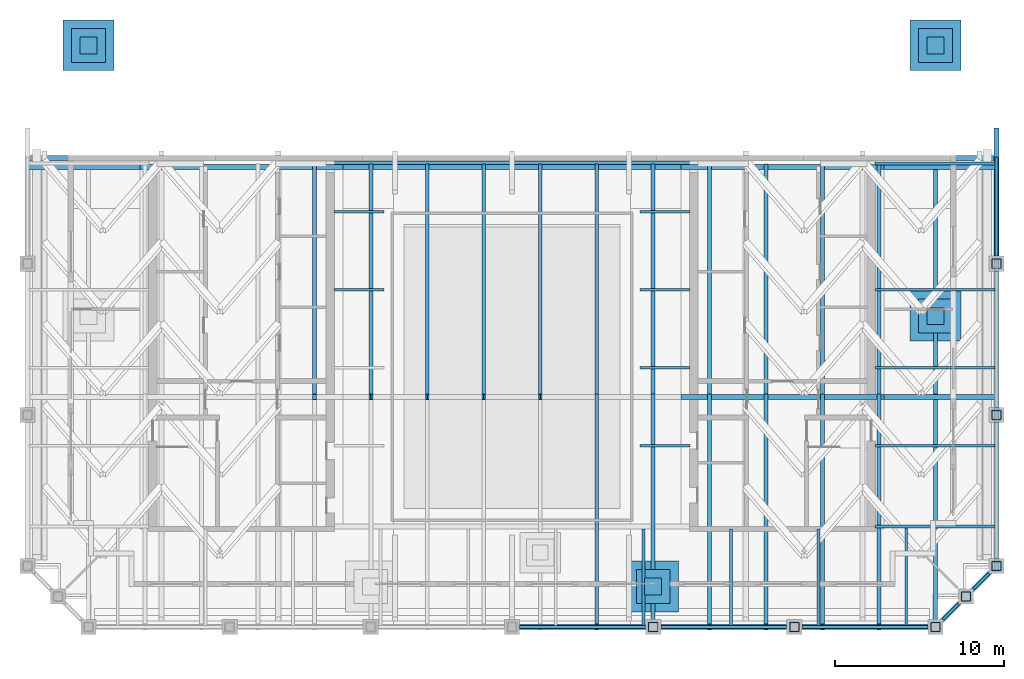
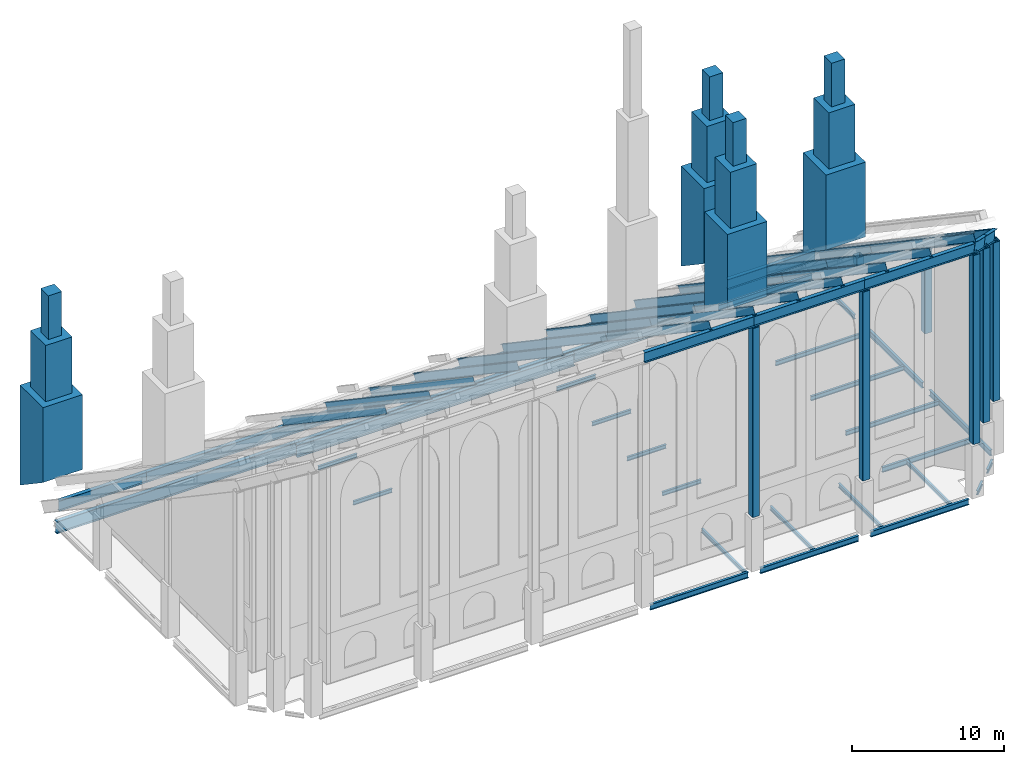
# One storey, part 2 of 9: 40 beams, 38 members.
"""IFC4 building model written with IfcOpenShell, lengths in metres."""

import ifcopenshell
import ifcopenshell.guid

model = None  # the IFC model being written
_history = None  # IfcOwnerHistory: only IFC2X3 demands one
_inside = {}  # id of a spatial element -> (the spatial element, [elements in it])
_under = {}  # id of a project, library or spatial element -> (it, [spatial elements below it])
_declared = {}  # id of a project -> (the project, [libraries it declares])
_typed = {}  # id of a type object -> (the type object, [elements of that type])
_made_of = {}  # id of a material, layer set ... -> (it, [elements and type objects made of it])


def new_model(schema):
    """Start an empty IFC model of exactly this schema.

    Asked for "IFC4X3", IfcOpenShell would pick the latest addendum, in which some entities
    have other attributes; the version numbers below select the first issue.
    IFC2X3 requires an IfcOwnerHistory on every rooted entity: one is made here for all.
    """
    global model, _history
    if schema == "IFC4X3":
        model = ifcopenshell.file(schema_version=(4, 3, 0, 0))
    else:
        model = ifcopenshell.file(schema=schema)
    _inside.clear()
    _under.clear()
    _declared.clear()
    _typed.clear()
    _made_of.clear()
    _history = None
    if model.schema == "IFC2X3":
        org = make("IfcOrganization", Name="unknown")
        user = make(
            "IfcPersonAndOrganization",
            ThePerson=make("IfcPerson", FamilyName="unknown"),
            TheOrganization=org,
        )
        app = make(
            "IfcApplication",
            ApplicationDeveloper=org,
            Version="unknown",
            ApplicationFullName="unknown",
            ApplicationIdentifier="unknown",
        )
        _history = make(
            "IfcOwnerHistory",
            OwningUser=user,
            OwningApplication=app,
            ChangeAction="ADDED",
            CreationDate=0,
        )
    return model


def make(cls, **values):
    """One entity of the class cls with the attributes given. An attribute that is None is left unset."""
    return model.create_entity(
        cls, **{name: value for name, value in values.items() if value is not None}
    )


def rooted(cls, **values):
    """An entity with a GlobalId (a new one), such as an element, a storey or a relation."""
    return make(cls, GlobalId=ifcopenshell.guid.new(), OwnerHistory=_history, **values)


def si_unit(unit_type, name, prefix=None):
    """IfcSIUnit, for example si_unit("LENGTHUNIT", "METRE", prefix="MILLI")."""
    return make("IfcSIUnit", UnitType=unit_type, Prefix=prefix, Name=name)


def assignment(units):
    """IfcUnitAssignment: the units of a project."""
    return None if units is None else make("IfcUnitAssignment", Units=units)


def point(xyz):
    """IfcCartesianPoint."""
    return None if xyz is None else make("IfcCartesianPoint", Coordinates=xyz)


def direction(xyz):
    """IfcDirection."""
    return None if xyz is None else make("IfcDirection", DirectionRatios=xyz)


def frame(location, z_axis=None, x_axis=None):
    """IfcAxis2Placement3D, a coordinate frame: its origin and axes. An axis left out is left unset."""
    return make(
        "IfcAxis2Placement3D",
        Location=point(location),
        Axis=direction(z_axis),
        RefDirection=direction(x_axis),
    )


def frame_2d(location, x_axis=None):
    """IfcAxis2Placement2D, a coordinate frame in the plane: its origin and x axis."""
    return make(
        "IfcAxis2Placement2D", Location=point(location), RefDirection=direction(x_axis)
    )


def origin():
    """The frame at (0, 0, 0) with its axes left unset."""
    return frame((0.0, 0.0, 0.0))


def origin_2d():
    """The frame at (0, 0) in the plane with its x axis left unset."""
    return frame_2d((0.0, 0.0))


def place(relative_to, where):
    """IfcLocalPlacement: puts the frame where relative to a parent placement (None: the world)."""
    return make(
        "IfcLocalPlacement", PlacementRelTo=relative_to, RelativePlacement=where
    )


def context(
    kind, dimensions, precision=None, world=None, true_north=None, identifier=None
):
    """IfcGeometricRepresentationContext, for example the 3D "Model" context."""
    return make(
        "IfcGeometricRepresentationContext",
        ContextIdentifier=identifier,
        ContextType=kind,
        CoordinateSpaceDimension=dimensions,
        Precision=precision,
        WorldCoordinateSystem=world,
        TrueNorth=true_north,
    )


def subcontext(parent, identifier, kind, view, scale=None):
    """IfcGeometricRepresentationSubContext, for example "Body" below "Model"."""
    return make(
        "IfcGeometricRepresentationSubContext",
        ContextIdentifier=identifier,
        ContextType=kind,
        ParentContext=parent,
        TargetScale=scale,
        TargetView=view,
    )


def project(units=None, contexts=None):
    """IfcProject with its units and contexts."""
    return rooted(
        "IfcProject",
        Name="project",
        RepresentationContexts=contexts,
        UnitsInContext=assignment(units),
    )


def spatial(cls, under=None, at=None, **own):
    """A site, building, storey or space (cls), placed at a placement, below another one or the project."""
    s = rooted(cls, ObjectPlacement=at, **own)
    if under is not None:
        _under.setdefault(under.id(), (under, []))[1].append(s)
    return s


def polyline(points):
    """IfcPolyline through the points."""
    return make("IfcPolyline", Points=[point(p) for p in points])


def profile(cls, at=None, kind="AREA", **sizes):
    """A parametric profile (cls). Its sizes go by their IFC names, for example OverallWidth=200.0."""
    return make(cls, ProfileType=kind, Position=at, **sizes)


def rectangle(**sizes):
    """IfcRectangleProfileDef."""
    return profile("IfcRectangleProfileDef", **sizes)


def hollow_rectangle(**sizes):
    """IfcRectangleHollowProfileDef."""
    return profile("IfcRectangleHollowProfileDef", **sizes)


def i_section(**sizes):
    """IfcIShapeProfileDef."""
    return profile("IfcIShapeProfileDef", **sizes)


def outline(outer, holes=None, kind="AREA"):
    """IfcArbitraryClosedProfileDef: a profile drawn as a closed curve; with holes, ...WithVoids."""
    if holes is None:
        return make("IfcArbitraryClosedProfileDef", ProfileType=kind, OuterCurve=outer)
    return make(
        "IfcArbitraryProfileDefWithVoids",
        ProfileType=kind,
        OuterCurve=outer,
        InnerCurves=holes,
    )


def extrude(swept, where, along, depth):
    """IfcExtrudedAreaSolid: the profile swept, set in the frame where, extruded along a direction by depth."""
    return make(
        "IfcExtrudedAreaSolid",
        SweptArea=swept,
        Position=where,
        ExtrudedDirection=direction(along),
        Depth=depth,
    )


def shape(context_of_items, identifier, shape_type, items):
    """IfcShapeRepresentation: the items that make up one representation, for example the "Body"."""
    return make(
        "IfcShapeRepresentation",
        ContextOfItems=context_of_items,
        RepresentationIdentifier=identifier,
        RepresentationType=shape_type,
        Items=items,
    )


def material(Name=None, Category=None):
    """IfcMaterial."""
    return make("IfcMaterial", Name=Name, Category=Category)


def material_profile(
    of_material, cross_section, Name=None, Category=None, Priority=None
):
    """IfcMaterialProfile: a cross section and its material."""
    return make(
        "IfcMaterialProfile",
        Name=Name,
        Material=of_material,
        Profile=cross_section,
        Priority=Priority,
        Category=Category,
    )


def profile_set(profiles, Name=None, composite=None):
    """IfcMaterialProfileSet."""
    return make(
        "IfcMaterialProfileSet",
        Name=Name,
        MaterialProfiles=profiles,
        CompositeProfile=composite,
    )


def made_of(thing, what):
    """Note that an element or type object is made of a material, layer set ...; save() writes the relation."""
    if what is not None:
        _made_of.setdefault(what.id(), (what, []))[1].append(thing)
    return thing


def type_object(cls, material=None, **own):
    """A type object (cls), such as IfcWallType, which elements share."""
    return made_of(rooted(cls, **own), material)


def element(
    cls,
    number,
    at=None,
    inside=None,
    cuts=None,
    type_object=None,
    material=None,
    context=None,
    identifier="Body",
    shape_type=None,
    held_by="IfcProductDefinitionShape",
    body=None,
    shapes=None,
    **own,
):
    """One element of the class cls, such as IfcWall. Its Tag is "e" and its number.

    at: its placement. inside: the storey or other place that contains it. cuts: it is an
    opening in that element (IfcRelVoidsElement). A single representation is given by context,
    identifier, shape_type and body (its items); several are given by shapes. held_by: the class
    of the entity that holds the representations. save() writes the other relations.
    """
    e = rooted(cls, Tag="e%d" % number, ObjectPlacement=at, **own)
    if body is not None:
        shapes = [shape(context, identifier, shape_type, body)]
    if shapes is not None:
        e.Representation = make(held_by, Representations=shapes)
    if inside is not None:
        _inside.setdefault(inside.id(), (inside, []))[1].append(e)
    if cuts is not None:
        rooted(
            "IfcRelVoidsElement", RelatingBuildingElement=cuts, RelatedOpeningElement=e
        )
    if type_object is not None:
        _typed.setdefault(type_object.id(), (type_object, []))[1].append(e)
    return made_of(e, material)


def aggregate(whole, parts):
    """IfcRelAggregates: a whole, such as a stair, and the parts it consists of."""
    return rooted("IfcRelAggregates", RelatingObject=whole, RelatedObjects=parts)


def save(model, path):
    """Write the relations noted so far, then the file.

    IfcRelAggregates (storeys below a building ...), IfcRelContainedInSpatialStructure (elements
    in a storey), IfcRelDefinesByType, IfcRelAssociatesMaterial and IfcRelDeclares: one each for
    every whole, place, type object, material and project.
    """
    for whole, parts in _under.values():
        aggregate(whole, parts)
    for where, things in _inside.values():
        rooted(
            "IfcRelContainedInSpatialStructure",
            RelatedElements=things,
            RelatingStructure=where,
        )
    for kind, things in _typed.values():
        rooted("IfcRelDefinesByType", RelatedObjects=things, RelatingType=kind)
    for what, things in _made_of.values():
        rooted("IfcRelAssociatesMaterial", RelatedObjects=things, RelatingMaterial=what)
    for by, libraries in _declared.values():
        rooted("IfcRelDeclares", RelatingContext=by, RelatedDefinitions=libraries)
    model.write(path)


model = new_model("IFC4")

# Units and contexts
model_context = context("Model", 3, precision=1e-05, world=origin(), true_north=direction((0.0, 1.0)))
body_context = subcontext(model_context, "Body", "Model", "MODEL_VIEW")
ifc_project = project(units=[si_unit("LENGTHUNIT", "METRE"), si_unit("AREAUNIT", "SQUARE_METRE"), si_unit("VOLUMEUNIT", "CUBIC_METRE"), si_unit("PLANEANGLEUNIT", "RADIAN"), si_unit("MASSUNIT", "GRAM", prefix="KILO")], contexts=[model_context])

# Site, building, storey
site_placement = place(None, origin())
site = spatial("IfcSite", under=ifc_project, at=site_placement, CompositionType="ELEMENT")
building_placement = place(site_placement, origin())
building = spatial("IfcBuilding", under=site, at=building_placement, Name="Ogive Exchange Tower", CompositionType="ELEMENT")
storey_placement = place(building_placement, frame((0.0, 0.0, 394.199951171875)))
storey = spatial("IfcBuildingStorey", under=building, at=storey_placement, Name="C07", CompositionType="ELEMENT", Elevation=394.199951171875)

# Members
ifc_material_1 = material(Name="Steel ASTM A1085 Gr A", Category="steel")
ifc_material_profile_1 = material_profile(ifc_material_1, hollow_rectangle(XDim=0.55908203125, YDim=0.55908203125, WallThickness=0.022216796875, InnerFilletRadius=0.022216796875, OuterFilletRadius=0.04443359375, at=origin_2d()), Name="HSS558.8x558.8x22.2")
ifc_profile_set_1 = profile_set([ifc_material_profile_1], Name="Steel ASTM A1085 Gr A")
member_type_1 = type_object("IfcMemberType", Name="Crown post HSS558.8x558.8x22.2", PredefinedType="POST", material=ifc_profile_set_1)
for number, where, z_axis, x_axis, name in (
    (1, (8.35009765625, -8.39990234375, 4.199951171875), (0.0, 0.0, 1.0), (1.0, 0.0, 0.0), "Crown post 5"),
    (2, (16.699951171875, -8.39990234375, 4.199951171875), (0.0, 0.0, 1.0), (1.0, 0.0, 0.0), "Crown post 6"),
    (3, (25.050048828125, -8.39990234375, 4.199951171875), (0.0, 0.0, 1.0), (1.0, 0.0, 0.0), "Crown post 7"),
):
    element("IfcMember", number, at=place(storey_placement, frame(where, z_axis=z_axis, x_axis=x_axis)), inside=storey, type_object=member_type_1, Name=name, PredefinedType="POST", context=body_context, shape_type="SweptSolid", body=[
        extrude(hollow_rectangle(XDim=0.55908203125, YDim=0.55908203125, WallThickness=0.022216796875, InnerFilletRadius=0.022216796875, OuterFilletRadius=0.04443359375, at=origin_2d()), origin(), (0.0, 0.0, 1.0), 15.13916015625),
    ])
member_1_placement = place(storey_placement, frame((28.64990234375, -4.800048828125, 4.199951171875), z_axis=(0.0, 0.0, 1.0), x_axis=(1.0, 0.0, 0.0)))
element("IfcMember", 4, at=member_1_placement, inside=storey, type_object=member_type_1, Name="Crown post 8", PredefinedType="POST", context=body_context, shape_type="SweptSolid", body=[
    extrude(hollow_rectangle(XDim=0.55908203125, YDim=0.55908203125, WallThickness=0.022216796875, InnerFilletRadius=0.022216796875, OuterFilletRadius=0.04443359375, at=origin_2d()), origin(), (0.0, 0.0, 1.0), 12.711181640625),
])
member_2_placement = place(storey_placement, frame((28.64990234375, 4.142822265625, 4.199951171875), z_axis=(0.0, 0.0, 1.0), x_axis=(1.0, 0.0, 0.0)))
element("IfcMember", 5, at=member_2_placement, inside=storey, type_object=member_type_1, Name="Crown post 9", PredefinedType="POST", context=body_context, shape_type="SweptSolid", body=[
    extrude(hollow_rectangle(XDim=0.55908203125, YDim=0.55908203125, WallThickness=0.022216796875, InnerFilletRadius=0.022216796875, OuterFilletRadius=0.04443359375, at=origin_2d()), origin(), (0.0, 0.0, 1.0), 6.67919921875),
])
member_3_placement = place(storey_placement, frame((28.64990234375, 13.085693359375, 4.199951171875), z_axis=(0.0, 0.0, 1.0), x_axis=(1.0, 0.0, 0.0)))
element("IfcMember", 6, at=member_3_placement, inside=storey, type_object=member_type_1, Name="Crown post 10", PredefinedType="POST", context=body_context, shape_type="SweptSolid", body=[
    extrude(hollow_rectangle(XDim=0.55908203125, YDim=0.55908203125, WallThickness=0.022216796875, InnerFilletRadius=0.022216796875, OuterFilletRadius=0.04443359375, at=origin_2d()), origin(), (0.0, 0.0, 1.0), 0.647216796875),
])
member_4_placement = place(storey_placement, frame((26.85009765625, -6.60009765625, 4.199951171875), z_axis=(0.0, 0.0, 1.0), x_axis=(1.0, 0.0, 0.0)))
element("IfcMember", 7, at=member_4_placement, inside=storey, type_object=member_type_1, Name="Crown post 31", PredefinedType="POST", context=body_context, shape_type="SweptSolid", body=[
    extrude(hollow_rectangle(XDim=0.55908203125, YDim=0.55908203125, WallThickness=0.022216796875, InnerFilletRadius=0.022216796875, OuterFilletRadius=0.04443359375, at=origin_2d()), origin(), (0.0, 0.0, 1.0), 13.925048828125),
])

# Beams
ifc_material_2 = material(Name="Steel ASTM A992 Gr50", Category="steel")
ifc_material_profile_2 = material_profile(ifc_material_2, i_section(OverallWidth=0.2919921875, OverallDepth=0.8359375, WebThickness=0.013916015625, FlangeThickness=0.018798828125, at=origin_2d()), Name="W840x176")
ifc_profile_set_2 = profile_set([ifc_material_profile_2], Name="Steel ASTM A992 Gr50")
beam_type_1 = type_object("IfcBeamType", Name="Crown purlin W840x176", PredefinedType="BEAM", material=ifc_profile_set_2)
beam_1_placement = place(storey_placement, frame((10.0, 5.199951171875, 10.583740234375), z_axis=(1.0, 0.0, 0.0), x_axis=(0.0, 1.0, 0.0)))
element("IfcBeam", 8, at=beam_1_placement, inside=storey, type_object=beam_type_1, Name="Crown purlin", PredefinedType="BEAM", context=body_context, shape_type="SweptSolid", body=[
    extrude(i_section(OverallWidth=0.2919921875, OverallDepth=0.8359375, WebThickness=0.013916015625, FlangeThickness=0.018798828125, at=origin_2d()), origin(), (0.0, 0.0, 1.0), 12.0),
])
for number, where, z_axis, x_axis, name in (
    (9, (22.0, 5.199951171875, 10.583740234375), (1.0, 0.0, 0.0), (0.0, 1.0, 0.0), "Crown purlin"),
    (10, (-28.64990234375, 18.800048828125, 1.410400390625), (1.0, 0.0, 0.0), (0.0, 1.0, 0.0), "Crown purlin"),
):
    element("IfcBeam", number, at=place(storey_placement, frame(where, z_axis=z_axis, x_axis=x_axis)), inside=storey, type_object=beam_type_1, Name=name, PredefinedType="BEAM", context=body_context, shape_type="SweptSolid", body=[
        extrude(i_section(OverallWidth=0.2919921875, OverallDepth=0.8359375, WebThickness=0.013916015625, FlangeThickness=0.018798828125, at=origin_2d()), origin(), (0.0, 0.0, 1.0), 6.64990234375),
    ])
beam_2_placement = place(storey_placement, frame((-22.0, 18.800048828125, 1.410400390625), z_axis=(1.0, 0.0, 0.0), x_axis=(0.0, 1.0, 0.0)))
element("IfcBeam", 11, at=beam_2_placement, inside=storey, type_object=beam_type_1, Name="Crown purlin", PredefinedType="BEAM", context=body_context, shape_type="SweptSolid", body=[
    extrude(i_section(OverallWidth=0.2919921875, OverallDepth=0.8359375, WebThickness=0.013916015625, FlangeThickness=0.018798828125, at=origin_2d()), origin(), (0.0, 0.0, 1.0), 12.0),
])
beam_3_placement = place(storey_placement, frame((-10.0, 18.800048828125, 1.410400390625), z_axis=(1.0, 0.0, 0.0), x_axis=(0.0, 1.0, 0.0)))
element("IfcBeam", 12, at=beam_3_placement, inside=storey, type_object=beam_type_1, Name="Crown purlin", PredefinedType="BEAM", context=body_context, shape_type="SweptSolid", body=[
    extrude(i_section(OverallWidth=0.2919921875, OverallDepth=0.8359375, WebThickness=0.013916015625, FlangeThickness=0.018798828125, at=origin_2d()), origin(), (0.0, 0.0, 1.0), 20.0),
])
beam_4_placement = place(storey_placement, frame((10.0, 18.800048828125, 1.410400390625), z_axis=(1.0, 0.0, 0.0), x_axis=(0.0, 1.0, 0.0)))
element("IfcBeam", 13, at=beam_4_placement, inside=storey, type_object=beam_type_1, Name="Crown purlin", PredefinedType="BEAM", context=body_context, shape_type="SweptSolid", body=[
    extrude(i_section(OverallWidth=0.2919921875, OverallDepth=0.8359375, WebThickness=0.013916015625, FlangeThickness=0.018798828125, at=origin_2d()), origin(), (0.0, 0.0, 1.0), 12.0),
])
beam_5_placement = place(storey_placement, frame((22.0, 18.800048828125, 1.410400390625), z_axis=(1.0, 0.0, 0.0), x_axis=(0.0, 1.0, 0.0)))
element("IfcBeam", 14, at=beam_5_placement, inside=storey, type_object=beam_type_1, Name="Crown purlin", PredefinedType="BEAM", context=body_context, shape_type="SweptSolid", body=[
    extrude(i_section(OverallWidth=0.2919921875, OverallDepth=0.8359375, WebThickness=0.013916015625, FlangeThickness=0.018798828125, at=origin_2d()), origin(), (0.0, 0.0, 1.0), 6.64990234375),
])

# Members
ifc_material_profile_3 = material_profile(ifc_material_2, i_section(OverallWidth=0.22900390625, OverallDepth=0.612060546875, WebThickness=0.011962890625, FlangeThickness=0.01953125, at=origin_2d()), Name="W610x125")
ifc_profile_set_3 = profile_set([ifc_material_profile_3], Name="Steel ASTM A992 Gr50")
member_type_2 = type_object("IfcMemberType", Name="Crown rafter W610x125", PredefinedType="RAFTER", material=ifc_profile_set_3)
for number, where, z_axis, x_axis, name in (
    (15, (-11.68994140625, 5.199951171875, 11.370849609375), (0.0, 0.829038755374, -0.559191149866), (-1.0, 0.0, 0.0), "Crown rafter"),
    (16, (-8.35009765625, 5.199951171875, 11.370849609375), (0.0, 0.829038755374, -0.559191149866), (-1.0, 0.0, 0.0), "Crown rafter"),
    (17, (-5.010009765625, 5.199951171875, 11.370849609375), (0.0, 0.829038755374, -0.559191149866), (-1.0, 0.0, 0.0), "Crown rafter"),
    (18, (-1.669921875, 5.199951171875, 11.370849609375), (0.0, 0.829038755374, -0.559191149866), (-1.0, 0.0, 0.0), "Crown rafter"),
    (19, (1.669921875, 5.199951171875, 11.370849609375), (0.0, 0.829038755374, -0.559191149866), (-1.0, 0.0, 0.0), "Crown rafter"),
    (20, (5.010009765625, -8.39990234375, 20.544189453125), (0.0, 0.829034101641, -0.559198049278), (-1.0, 0.0, 0.0), "Crown rafter"),
    (21, (5.010009765625, 5.199951171875, 11.370849609375), (0.0, 0.829038755374, -0.559191149866), (-1.0, 0.0, 0.0), "Crown rafter"),
    (22, (8.35009765625, -8.39990234375, 20.544189453125), (0.0, 0.829034101641, -0.559198049278), (-1.0, 0.0, 0.0), "Crown rafter"),
    (23, (8.35009765625, 5.199951171875, 11.370849609375), (0.0, 0.829038755374, -0.559191149866), (-1.0, 0.0, 0.0), "Crown rafter"),
    (24, (11.68994140625, -8.39990234375, 20.544189453125), (0.0, 0.829034101641, -0.559198049278), (-1.0, 0.0, 0.0), "Crown rafter"),
    (25, (11.68994140625, 5.199951171875, 11.370849609375), (0.0, 0.829038755374, -0.559191149866), (-1.0, 0.0, 0.0), "Crown rafter"),
    (26, (15.030029296875, -8.39990234375, 20.544189453125), (0.0, 0.829034101641, -0.559198049278), (-1.0, 0.0, 0.0), "Crown rafter"),
    (27, (15.030029296875, 5.199951171875, 11.370849609375), (0.0, 0.829038755374, -0.559191149866), (-1.0, 0.0, 0.0), "Crown rafter"),
    (28, (18.3701171875, -8.39990234375, 20.544189453125), (0.0, 0.829034101641, -0.559198049278), (-1.0, 0.0, 0.0), "Crown rafter"),
    (29, (18.3701171875, 5.199951171875, 11.370849609375), (0.0, 0.829038755374, -0.559191149866), (-1.0, 0.0, 0.0), "Crown rafter"),
    (30, (21.7099609375, -8.39990234375, 20.544189453125), (0.0, 0.829034101641, -0.559198049278), (-1.0, 0.0, 0.0), "Crown rafter"),
    (31, (21.7099609375, 5.199951171875, 11.370849609375), (0.0, 0.829038755374, -0.559191149866), (-1.0, 0.0, 0.0), "Crown rafter"),
    (32, (25.050048828125, -8.39990234375, 20.544189453125), (0.0, 0.829034101641, -0.559198049278), (-1.0, 0.0, 0.0), "Crown rafter"),
    (33, (25.050048828125, 5.199951171875, 11.370849609375), (0.0, 0.829038755374, -0.559191149866), (-1.0, 0.0, 0.0), "Crown rafter"),
):
    element("IfcMember", number, at=place(storey_placement, frame(where, z_axis=z_axis, x_axis=x_axis)), inside=storey, type_object=member_type_2, Name=name, PredefinedType="RAFTER", context=body_context, shape_type="SweptSolid", body=[
        extrude(i_section(OverallWidth=0.22900390625, OverallDepth=0.612060546875, WebThickness=0.011962890625, FlangeThickness=0.01953125, at=origin_2d()), origin(), (0.0, 0.0, 1.0), 16.404541015625),
    ])

# Beams
ifc_material_profile_4 = material_profile(ifc_material_2, i_section(OverallWidth=0.2919921875, OverallDepth=0.8359375, WebThickness=0.013916015625, FlangeThickness=0.018798828125, at=origin_2d()), Name="W840x176")
ifc_profile_set_4 = profile_set([ifc_material_profile_4], Name="Steel ASTM A992 Gr50")
beam_type_2 = type_object("IfcBeamType", Name="Crown raking ring beam W840x176", PredefinedType="BEAM", material=ifc_profile_set_4)
beam_6_placement = place(storey_placement, frame((25.050048828125, -8.39990234375, 19.757080078125), z_axis=(0.638269479583, 0.638182911092, -0.430505102667), x_axis=(-0.707058823862, 0.707154735259, 0.0)))
element("IfcBeam", 34, at=beam_6_placement, inside=storey, type_object=beam_type_2, Name="Crown ring beam 7", PredefinedType="BEAM", context=body_context, shape_type="SweptSolid", body=[
    extrude(i_section(OverallWidth=0.2919921875, OverallDepth=0.8359375, WebThickness=0.013916015625, FlangeThickness=0.018798828125, at=origin_2d()), origin(), (0.0, 0.0, 1.0), 2.8203125),
])
beam_7_placement = place(storey_placement, frame((26.85009765625, -6.60009765625, 18.54296875), z_axis=(0.638206693944, 0.638293265661, -0.430434574375), x_axis=(-0.707154735259, 0.707058823862, 0.0)))
element("IfcBeam", 35, at=beam_7_placement, inside=storey, type_object=beam_type_2, Name="Crown ring beam 8", PredefinedType="BEAM", context=body_context, shape_type="SweptSolid", body=[
    extrude(i_section(OverallWidth=0.2919921875, OverallDepth=0.8359375, WebThickness=0.013916015625, FlangeThickness=0.018798828125, at=origin_2d()), origin(), (0.0, 0.0, 1.0), 2.820068359375),
])
for number, where, z_axis, x_axis, name in (
    (36, (28.64990234375, -4.800048828125, 17.3291015625), (0.0, 0.829040163873, -0.559189061665), (-1.0, 0.0, 0.0), "Crown ring beam 9"),
    (37, (28.64990234375, 4.142822265625, 11.297119140625), (0.0, 0.829040163873, -0.559189061665), (-1.0, 0.0, 0.0), "Crown ring beam 10"),
):
    element("IfcBeam", number, at=place(storey_placement, frame(where, z_axis=z_axis, x_axis=x_axis)), inside=storey, type_object=beam_type_2, Name=name, PredefinedType="BEAM", context=body_context, shape_type="SweptSolid", body=[
        extrude(i_section(OverallWidth=0.2919921875, OverallDepth=0.8359375, WebThickness=0.013916015625, FlangeThickness=0.018798828125, at=origin_2d()), origin(), (0.0, 0.0, 1.0), 10.787109375),
    ])
beam_8_placement = place(storey_placement, frame((28.64990234375, 13.085693359375, 5.26513671875), z_axis=(0.0, 0.829030195272, -0.559203840587), x_axis=(-1.0, 0.0, 0.0)))
element("IfcBeam", 38, at=beam_8_placement, inside=storey, type_object=beam_type_2, Name="Crown ring beam 11", PredefinedType="BEAM", context=body_context, shape_type="SweptSolid", body=[
    extrude(i_section(OverallWidth=0.2919921875, OverallDepth=0.8359375, WebThickness=0.013916015625, FlangeThickness=0.018798828125, at=origin_2d()), origin(), (0.0, 0.0, 1.0), 9.41552734375),
])
ifc_material_profile_5 = material_profile(ifc_material_2, i_section(OverallWidth=0.2919921875, OverallDepth=0.8359375, WebThickness=0.013916015625, FlangeThickness=0.018798828125, at=origin_2d()), Name="W840x176")
ifc_profile_set_5 = profile_set([ifc_material_profile_5], Name="Steel ASTM A992 Gr50")
beam_type_3 = type_object("IfcBeamType", Name="Crown ring beam W840x176", PredefinedType="BEAM", material=ifc_profile_set_5)
beam_9_placement = place(storey_placement, frame((0.0, -8.39990234375, 19.757080078125), z_axis=(1.0, 0.0, 0.0), x_axis=(0.0, 1.0, 0.0)))
element("IfcBeam", 39, at=beam_9_placement, inside=storey, type_object=beam_type_3, Name="Crown ring beam 4", PredefinedType="BEAM", context=body_context, shape_type="SweptSolid", body=[
    extrude(i_section(OverallWidth=0.2919921875, OverallDepth=0.8359375, WebThickness=0.013916015625, FlangeThickness=0.018798828125, at=origin_2d()), origin(), (0.0, 0.0, 1.0), 8.35009765625),
])
beam_10_placement = place(storey_placement, frame((8.35009765625, -8.39990234375, 19.757080078125), z_axis=(1.0, 0.0, 0.0), x_axis=(0.0, 1.0, 0.0)))
element("IfcBeam", 40, at=beam_10_placement, inside=storey, type_object=beam_type_3, Name="Crown ring beam 5", PredefinedType="BEAM", context=body_context, shape_type="SweptSolid", body=[
    extrude(i_section(OverallWidth=0.2919921875, OverallDepth=0.8359375, WebThickness=0.013916015625, FlangeThickness=0.018798828125, at=origin_2d()), origin(), (0.0, 0.0, 1.0), 8.349853515625),
])
beam_11_placement = place(storey_placement, frame((16.699951171875, -8.39990234375, 19.757080078125), z_axis=(1.0, 0.0, 0.0), x_axis=(0.0, 1.0, 0.0)))
element("IfcBeam", 41, at=beam_11_placement, inside=storey, type_object=beam_type_3, Name="Crown ring beam 6", PredefinedType="BEAM", context=body_context, shape_type="SweptSolid", body=[
    extrude(i_section(OverallWidth=0.2919921875, OverallDepth=0.8359375, WebThickness=0.013916015625, FlangeThickness=0.018798828125, at=origin_2d()), origin(), (0.0, 0.0, 1.0), 8.35009765625),
])
ifc_material_profile_6 = material_profile(ifc_material_2, i_section(OverallWidth=0.1650390625, OverallDepth=0.31005859375, WebThickness=0.005859375, FlangeThickness=0.009765625, at=origin_2d()), Name="W310x38.7")
ifc_profile_set_6 = profile_set([ifc_material_profile_6], Name="Steel ASTM A992 Gr50")
beam_type_4 = type_object("IfcBeamType", Name="Floor beam W310x38.7", PredefinedType="JOIST", material=ifc_profile_set_6)
for number, where, z_axis, x_axis, name in (
    (42, (7.570068359375, 2.3212890625, -0.35498046875), (1.0, 0.0, 0.0), (0.0, 1.0, 0.0), "Floor beam"),
    (43, (7.570068359375, 6.9326171875, -0.35498046875), (1.0, 0.0, 0.0), (0.0, 1.0, 0.0), "Floor beam"),
    (44, (-10.52001953125, 11.543701171875, -0.35498046875), (1.0, 0.0, 0.0), (0.0, 1.0, 0.0), "Floor beam"),
    (45, (7.570068359375, 11.543701171875, -0.35498046875), (1.0, 0.0, 0.0), (0.0, 1.0, 0.0), "Floor beam"),
):
    element("IfcBeam", number, at=place(storey_placement, frame(where, z_axis=z_axis, x_axis=x_axis)), inside=storey, type_object=beam_type_4, Name=name, PredefinedType="JOIST", context=body_context, shape_type="SweptSolid", body=[
        extrude(i_section(OverallWidth=0.1650390625, OverallDepth=0.31005859375, WebThickness=0.005859375, FlangeThickness=0.009765625, at=origin_2d()), origin(), (0.0, 0.0, 1.0), 2.949951171875),
    ])
beam_12_placement = place(storey_placement, frame((7.771484375, -8.304443359375, -0.35498046875), z_axis=(0.0, 1.0, 0.0), x_axis=(-1.0, 0.0, 0.0)))
element("IfcBeam", 46, at=beam_12_placement, inside=storey, type_object=beam_type_4, Name="Floor beam", PredefinedType="JOIST", context=body_context, shape_type="SweptSolid", body=[
    extrude(i_section(OverallWidth=0.1650390625, OverallDepth=0.31005859375, WebThickness=0.005859375, FlangeThickness=0.009765625, at=origin_2d()), origin(), (0.0, 0.0, 1.0), 5.70947265625),
])
for number, where, z_axis, x_axis, name in (
    (47, (12.952392578125, -8.304443359375, -0.35498046875), (0.0, 1.0, 0.0), (-1.0, 0.0, 0.0), "Floor beam"),
    (48, (18.13330078125, -8.304443359375, -0.35498046875), (0.0, 1.0, 0.0), (-1.0, 0.0, 0.0), "Floor beam"),
):
    element("IfcBeam", number, at=place(storey_placement, frame(where, z_axis=z_axis, x_axis=x_axis)), inside=storey, type_object=beam_type_4, Name=name, PredefinedType="JOIST", context=body_context, shape_type="SweptSolid", body=[
        extrude(i_section(OverallWidth=0.1650390625, OverallDepth=0.31005859375, WebThickness=0.005859375, FlangeThickness=0.009765625, at=origin_2d()), origin(), (0.0, 0.0, 1.0), 5.704345703125),
    ])
beam_13_placement = place(storey_placement, frame((23.314208984375, -8.304443359375, -0.35498046875), z_axis=(0.0, 1.0, 0.0), x_axis=(-1.0, 0.0, 0.0)))
element("IfcBeam", 49, at=beam_13_placement, inside=storey, type_object=beam_type_4, Name="Floor beam", PredefinedType="JOIST", context=body_context, shape_type="SweptSolid", body=[
    extrude(i_section(OverallWidth=0.1650390625, OverallDepth=0.31005859375, WebThickness=0.005859375, FlangeThickness=0.009765625, at=origin_2d()), origin(), (0.0, 0.0, 1.0), 5.7705078125),
])
ifc_material_profile_7 = material_profile(ifc_material_2, i_section(OverallWidth=0.1708984375, OverallDepth=0.35595703125, WebThickness=0.00732421875, FlangeThickness=0.01171875, at=origin_2d()), Name="W360x51")
ifc_profile_set_7 = profile_set([ifc_material_profile_7], Name="Steel ASTM A992 Gr50")
beam_type_5 = type_object("IfcBeamType", Name="Floor beam W360x51", PredefinedType="JOIST", material=ifc_profile_set_7)
for number, where, z_axis, x_axis, name in (
    (50, (21.47998046875, 2.3212890625, -0.3779296875), (1.0, 0.0, 0.0), (0.0, 1.0, 0.0), "Floor beam"),
    (51, (21.47998046875, 6.9326171875, -0.3779296875), (1.0, 0.0, 0.0), (0.0, 1.0, 0.0), "Floor beam"),
    (52, (21.47998046875, 11.543701171875, -0.3779296875), (1.0, 0.0, 0.0), (0.0, 1.0, 0.0), "Floor beam"),
):
    element("IfcBeam", number, at=place(storey_placement, frame(where, z_axis=z_axis, x_axis=x_axis)), inside=storey, type_object=beam_type_5, Name=name, PredefinedType="JOIST", context=body_context, shape_type="SweptSolid", body=[
        extrude(i_section(OverallWidth=0.1708984375, OverallDepth=0.35595703125, WebThickness=0.00732421875, FlangeThickness=0.01171875, at=origin_2d()), origin(), (0.0, 0.0, 1.0), 7.074462890625),
    ])
ifc_material_profile_8 = material_profile(ifc_material_2, i_section(OverallWidth=0.300048828125, OverallDepth=0.97998046875, WebThickness=0.0166015625, FlangeThickness=0.026123046875, at=origin_2d()), Name="W1000x249")
ifc_profile_set_8 = profile_set([ifc_material_profile_8], Name="Steel ASTM A992 Gr50")
beam_type_6 = type_object("IfcBeamType", Name="Girder W1000x249", PredefinedType="BEAM", material=ifc_profile_set_8)
beam_14_placement = place(storey_placement, frame((-28.564453125, 19.339111328125, -0.68994140625), z_axis=(1.0, 0.0, 0.0), x_axis=(0.0, 1.0, 0.0)))
element("IfcBeam", 53, at=beam_14_placement, inside=storey, type_object=beam_type_6, Name="Trimmer girder", PredefinedType="BEAM", context=body_context, shape_type="SweptSolid", body=[
    extrude(i_section(OverallWidth=0.300048828125, OverallDepth=0.97998046875, WebThickness=0.0166015625, FlangeThickness=0.026123046875, at=origin_2d()), origin(), (0.0, 0.0, 1.0), 57.12890625),
])
beam_15_placement = place(storey_placement, frame((-10.52001953125, 18.9990234375, -0.68994140625), z_axis=(1.0, 0.0, 0.0), x_axis=(0.0, 1.0, 0.0)))
element("IfcBeam", 54, at=beam_15_placement, inside=storey, type_object=beam_type_6, Name="Header girder", PredefinedType="BEAM", context=body_context, shape_type="SweptSolid", body=[
    extrude(i_section(OverallWidth=0.300048828125, OverallDepth=0.97998046875, WebThickness=0.0166015625, FlangeThickness=0.026123046875, at=origin_2d()), origin(), (0.0, 0.0, 1.0), 21.0400390625),
])
ifc_material_profile_9 = material_profile(ifc_material_2, i_section(OverallWidth=0.1650390625, OverallDepth=0.31005859375, WebThickness=0.005859375, FlangeThickness=0.009765625, at=origin_2d()), Name="W310x38.7")
ifc_profile_set_9 = profile_set([ifc_material_profile_9], Name="Steel ASTM A992 Gr50")
beam_type_7 = type_object("IfcBeamType", Name="Girder W310x38.7", PredefinedType="BEAM", material=ifc_profile_set_9)
for number, where, z_axis, x_axis, name in (
    (55, (25.5, -7.949951171875, -0.35498046875), (0.707106781187, 0.707106781187, 0.0), (-0.707106781187, 0.707106781187, 0.0), "Girder"),
    (56, (27.300048828125, -6.14990234375, -0.35498046875), (0.707106781187, 0.707106781187, 0.0), (-0.707106781187, 0.707106781187, 0.0), "Girder"),
):
    element("IfcBeam", number, at=place(storey_placement, frame(where, z_axis=z_axis, x_axis=x_axis)), inside=storey, type_object=beam_type_7, Name=name, PredefinedType="BEAM", context=body_context, shape_type="SweptSolid", body=[
        extrude(i_section(OverallWidth=0.1650390625, OverallDepth=0.31005859375, WebThickness=0.005859375, FlangeThickness=0.009765625, at=origin_2d()), origin(), (0.0, 0.0, 1.0), 1.272705078125),
    ])
for number, where, z_axis, x_axis, name in (
    (57, (-10.52001953125, 16.155029296875, -0.35498046875), (1.0, 0.0, 0.0), (0.0, 1.0, 0.0), "Trimmer girder"),
    (58, (7.570068359375, 16.155029296875, -0.35498046875), (1.0, 0.0, 0.0), (0.0, 1.0, 0.0), "Trimmer girder"),
):
    element("IfcBeam", number, at=place(storey_placement, frame(where, z_axis=z_axis, x_axis=x_axis)), inside=storey, type_object=beam_type_7, Name=name, PredefinedType="BEAM", context=body_context, shape_type="SweptSolid", body=[
        extrude(i_section(OverallWidth=0.1650390625, OverallDepth=0.31005859375, WebThickness=0.005859375, FlangeThickness=0.009765625, at=origin_2d()), origin(), (0.0, 0.0, 1.0), 2.949951171875),
    ])
ifc_material_profile_10 = material_profile(ifc_material_2, i_section(OverallWidth=0.1708984375, OverallDepth=0.35595703125, WebThickness=0.00732421875, FlangeThickness=0.01171875, at=origin_2d()), Name="W360x51")
ifc_profile_set_10 = profile_set([ifc_material_profile_10], Name="Steel ASTM A992 Gr50")
beam_type_8 = type_object("IfcBeamType", Name="Girder W360x51", PredefinedType="BEAM", material=ifc_profile_set_10)
beam_16_placement = place(storey_placement, frame((28.64990234375, 13.53564453125, -0.3779296875), z_axis=(0.0, 1.0, 0.0), x_axis=(-1.0, 0.0, 0.0)))
element("IfcBeam", 59, at=beam_16_placement, inside=storey, type_object=beam_type_8, Name="Girder", PredefinedType="BEAM", context=body_context, shape_type="SweptSolid", body=[
    extrude(i_section(OverallWidth=0.1708984375, OverallDepth=0.35595703125, WebThickness=0.00732421875, FlangeThickness=0.01171875, at=origin_2d()), origin(), (0.0, 0.0, 1.0), 5.863525390625),
])
ifc_material_profile_11 = material_profile(ifc_material_2, i_section(OverallWidth=0.177978515625, OverallDepth=0.406005859375, WebThickness=0.0078125, FlangeThickness=0.0126953125, at=origin_2d()), Name="W410x60")
ifc_profile_set_11 = profile_set([ifc_material_profile_11], Name="Steel ASTM A992 Gr50")
beam_type_9 = type_object("IfcBeamType", Name="Girder W410x60", PredefinedType="BEAM", material=ifc_profile_set_11)
beam_17_placement = place(storey_placement, frame((21.47998046875, -2.445068359375, -0.40283203125), z_axis=(1.0, 0.0, 0.0), x_axis=(0.0, 1.0, 0.0)))
element("IfcBeam", 60, at=beam_17_placement, inside=storey, type_object=beam_type_9, Name="Header girder", PredefinedType="BEAM", context=body_context, shape_type="SweptSolid", body=[
    extrude(i_section(OverallWidth=0.177978515625, OverallDepth=0.406005859375, WebThickness=0.0078125, FlangeThickness=0.0126953125, at=origin_2d()), origin(), (0.0, 0.0, 1.0), 7.074462890625),
])
beam_18_placement = place(storey_placement, frame((21.47998046875, 18.9990234375, -0.40283203125), z_axis=(1.0, 0.0, 0.0), x_axis=(0.0, 1.0, 0.0)))
element("IfcBeam", 61, at=beam_18_placement, inside=storey, type_object=beam_type_9, Name="Header girder", PredefinedType="BEAM", context=body_context, shape_type="SweptSolid", body=[
    extrude(i_section(OverallWidth=0.177978515625, OverallDepth=0.406005859375, WebThickness=0.0078125, FlangeThickness=0.0126953125, at=origin_2d()), origin(), (0.0, 0.0, 1.0), 7.08447265625),
])
ifc_material_profile_12 = material_profile(ifc_material_2, i_section(OverallWidth=0.19091796875, OverallDepth=0.45703125, WebThickness=0.009033203125, FlangeThickness=0.014404296875, at=origin_2d()), Name="W460x74")
ifc_profile_set_12 = profile_set([ifc_material_profile_12], Name="Steel ASTM A992 Gr50")
beam_type_10 = type_object("IfcBeamType", Name="Girder W460x74", PredefinedType="BEAM", material=ifc_profile_set_12)
for number, where, z_axis, x_axis, name in (
    (62, (0.449951171875, -8.39990234375, -0.428466796875), (1.0, 0.0, 0.0), (0.0, 1.0, 0.0), "Girder"),
    (63, (8.800048828125, -8.39990234375, -0.428466796875), (1.0, 0.0, 0.0), (0.0, 1.0, 0.0), "Girder"),
):
    element("IfcBeam", number, at=place(storey_placement, frame(where, z_axis=z_axis, x_axis=x_axis)), inside=storey, type_object=beam_type_10, Name=name, PredefinedType="BEAM", context=body_context, shape_type="SweptSolid", body=[
        extrude(i_section(OverallWidth=0.19091796875, OverallDepth=0.45703125, WebThickness=0.009033203125, FlangeThickness=0.014404296875, at=origin_2d()), origin(), (0.0, 0.0, 1.0), 7.449951171875),
    ])
beam_19_placement = place(storey_placement, frame((17.14990234375, -8.39990234375, -0.428466796875), z_axis=(1.0, 0.0, 0.0), x_axis=(0.0, 1.0, 0.0)))
element("IfcBeam", 64, at=beam_19_placement, inside=storey, type_object=beam_type_10, Name="Girder", PredefinedType="BEAM", context=body_context, shape_type="SweptSolid", body=[
    extrude(i_section(OverallWidth=0.19091796875, OverallDepth=0.45703125, WebThickness=0.009033203125, FlangeThickness=0.014404296875, at=origin_2d()), origin(), (0.0, 0.0, 1.0), 7.4501953125),
])
beam_20_placement = place(storey_placement, frame((28.64990234375, -4.35009765625, -0.428466796875), z_axis=(0.0, 1.0, 0.0), x_axis=(-1.0, 0.0, 0.0)))
element("IfcBeam", 65, at=beam_20_placement, inside=storey, type_object=beam_type_10, Name="Girder", PredefinedType="BEAM", context=body_context, shape_type="SweptSolid", body=[
    extrude(i_section(OverallWidth=0.19091796875, OverallDepth=0.45703125, WebThickness=0.009033203125, FlangeThickness=0.014404296875, at=origin_2d()), origin(), (0.0, 0.0, 1.0), 8.04296875),
])
beam_21_placement = place(storey_placement, frame((28.64990234375, 4.593017578125, -0.428466796875), z_axis=(0.0, 1.0, 0.0), x_axis=(-1.0, 0.0, 0.0)))
element("IfcBeam", 66, at=beam_21_placement, inside=storey, type_object=beam_type_10, Name="Girder", PredefinedType="BEAM", context=body_context, shape_type="SweptSolid", body=[
    extrude(i_section(OverallWidth=0.19091796875, OverallDepth=0.45703125, WebThickness=0.009033203125, FlangeThickness=0.014404296875, at=origin_2d()), origin(), (0.0, 0.0, 1.0), 8.042724609375),
])

# Members
ifc_material_3 = material(Name="Precast concrete C50/60", Category="concrete")
ifc_material_profile_13 = material_profile(ifc_material_3, rectangle(XDim=3.0, YDim=3.0, at=origin_2d()), Name="PINNACLE 3000 x 3000")
ifc_profile_set_13 = profile_set([ifc_material_profile_13], Name="Precast concrete C50/60")
member_type_3 = type_object("IfcMemberType", Name="Precast pinnacle base stage 3000 x 3000 C50/60", PredefinedType="USERDEFINED", material=ifc_profile_set_13)
member_5_placement = place(storey_placement, frame((6.85009765625, -7.5, 26.608154296875), z_axis=(-1.0, 0.0, 0.0), x_axis=(0.0, 1.0, 0.0)))
element("IfcMember", 67, at=member_5_placement, inside=storey, type_object=member_type_3, Name="Pinnacle crown 2", ObjectType="PINNACLE", PredefinedType="USERDEFINED", context=body_context, shape_type="SweptSolid", body=[
    extrude(outline(polyline([(0.0, 0.0), (3.0, 0.0), (3.0, 8.02392578125), (0.0, 6.000244140625), (0.0, 0.0)])), origin(), (0.0, 0.0, -1.0), 3.0),
])
member_6_placement = place(storey_placement, frame((23.550048828125, 8.5, 15.816162109375), z_axis=(-1.0, 0.0, 0.0), x_axis=(0.0, 1.0, 0.0)))
element("IfcMember", 68, at=member_6_placement, inside=storey, type_object=member_type_3, Name="Pinnacle crown 4", ObjectType="PINNACLE", PredefinedType="USERDEFINED", context=body_context, shape_type="SweptSolid", body=[
    extrude(outline(polyline([(0.0, 0.0), (3.0, 0.0), (3.0, 8.02392578125), (0.0, 6.00048828125), (0.0, 0.0)])), origin(), (0.0, 0.0, -1.0), 3.0),
])
for number, where, z_axis, x_axis, name in (
    (69, (-26.550048828125, 24.5, 5.02294921875), (-1.0, 0.0, 0.0), (0.0, 1.0, 0.0), "Pinnacle crown 5"),
    (70, (23.550048828125, 24.5, 5.02294921875), (-1.0, 0.0, 0.0), (0.0, 1.0, 0.0), "Pinnacle crown 6"),
):
    element("IfcMember", number, at=place(storey_placement, frame(where, z_axis=z_axis, x_axis=x_axis)), inside=storey, type_object=member_type_3, Name=name, ObjectType="PINNACLE", PredefinedType="USERDEFINED", context=body_context, shape_type="SweptSolid", body=[
        extrude(outline(polyline([(0.0, 0.0), (3.0, 0.0), (3.0, 8.02294921875), (0.0, 5.99951171875), (0.0, 0.0)])), origin(), (0.0, 0.0, -1.0), 3.0),
    ])
ifc_material_profile_14 = material_profile(ifc_material_3, rectangle(XDim=1.0, YDim=1.0, at=origin_2d()), Name="PINNACLE 1000 x 1000")
ifc_profile_set_14 = profile_set([ifc_material_profile_14], Name="Precast concrete C50/60")
member_type_4 = type_object("IfcMemberType", Name="Precast pinnacle finial 1000 x 1000 C50/60", PredefinedType="USERDEFINED", material=ifc_profile_set_14)
for number, where, z_axis, x_axis, name in (
    (71, (8.35009765625, -6.0, 31.108154296875), (0.0, 0.0, 1.0), (1.0, 0.0, 0.0), "Pinnacle crown 2 finial"),
    (72, (25.050048828125, 10.0, 20.316162109375), (0.0, 0.0, 1.0), (1.0, 0.0, 0.0), "Pinnacle crown 4 finial"),
    (73, (-25.050048828125, 26.0, 9.52294921875), (0.0, 0.0, 1.0), (1.0, 0.0, 0.0), "Pinnacle crown 5 finial"),
    (74, (25.050048828125, 26.0, 9.52294921875), (0.0, 0.0, 1.0), (1.0, 0.0, 0.0), "Pinnacle crown 6 finial"),
):
    element("IfcMember", number, at=place(storey_placement, frame(where, z_axis=z_axis, x_axis=x_axis)), inside=storey, type_object=member_type_4, Name=name, ObjectType="PINNACLE", PredefinedType="USERDEFINED", context=body_context, shape_type="SweptSolid", body=[
        extrude(rectangle(XDim=1.0, YDim=1.0, at=origin_2d()), origin(), (0.0, 0.0, 1.0), 3.5),
    ])
ifc_material_profile_15 = material_profile(ifc_material_3, rectangle(XDim=2.0, YDim=2.0, at=origin_2d()), Name="PINNACLE 2000 x 2000")
ifc_profile_set_15 = profile_set([ifc_material_profile_15], Name="Precast concrete C50/60")
member_type_5 = type_object("IfcMemberType", Name="Precast pinnacle upper stage 2000 x 2000 C50/60", PredefinedType="USERDEFINED", material=ifc_profile_set_15)
for number, where, z_axis, x_axis, name in (
    (75, (8.35009765625, -6.0, 26.608154296875), (0.0, 0.0, 1.0), (1.0, 0.0, 0.0), "Pinnacle crown 2 upper stage"),
    (76, (25.050048828125, 10.0, 15.816162109375), (0.0, 0.0, 1.0), (1.0, 0.0, 0.0), "Pinnacle crown 4 upper stage"),
    (77, (-25.050048828125, 26.0, 5.02294921875), (0.0, 0.0, 1.0), (1.0, 0.0, 0.0), "Pinnacle crown 5 upper stage"),
    (78, (25.050048828125, 26.0, 5.02294921875), (0.0, 0.0, 1.0), (1.0, 0.0, 0.0), "Pinnacle crown 6 upper stage"),
):
    element("IfcMember", number, at=place(storey_placement, frame(where, z_axis=z_axis, x_axis=x_axis)), inside=storey, type_object=member_type_5, Name=name, ObjectType="PINNACLE", PredefinedType="USERDEFINED", context=body_context, shape_type="SweptSolid", body=[
        extrude(rectangle(XDim=2.0, YDim=2.0, at=origin_2d()), origin(), (0.0, 0.0, 1.0), 4.5),
    ])

save(model, "model.ifc")
